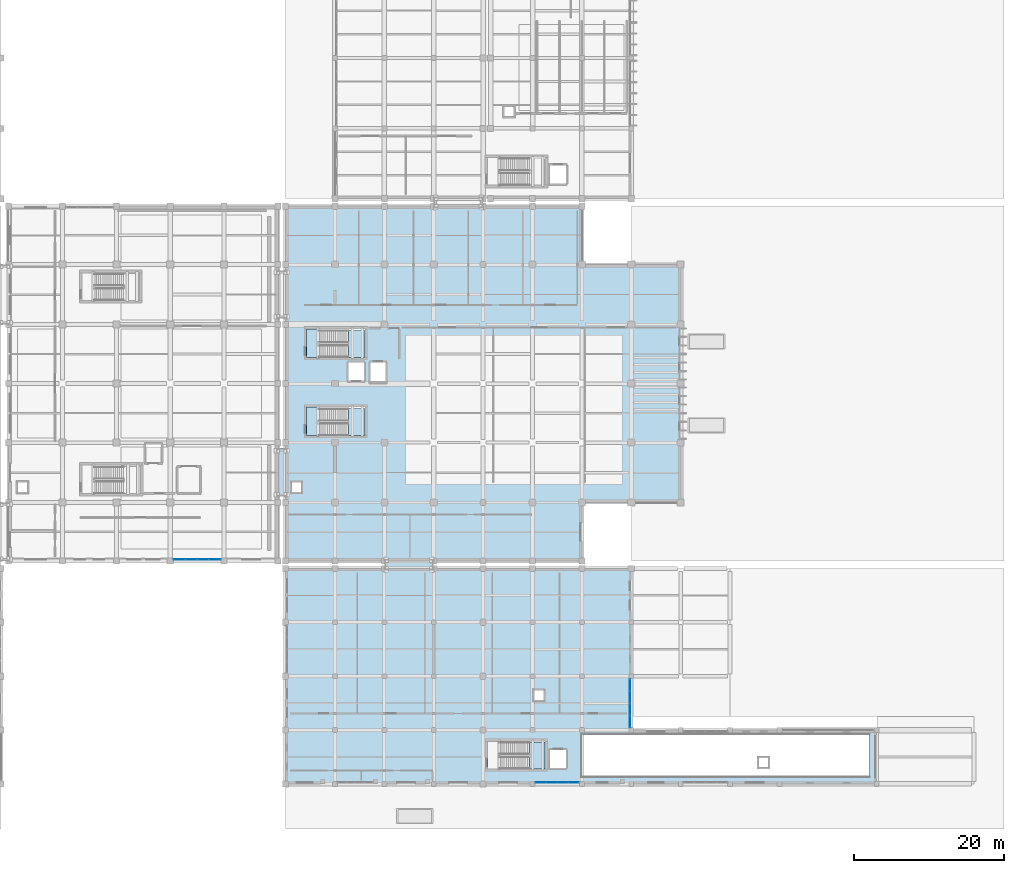
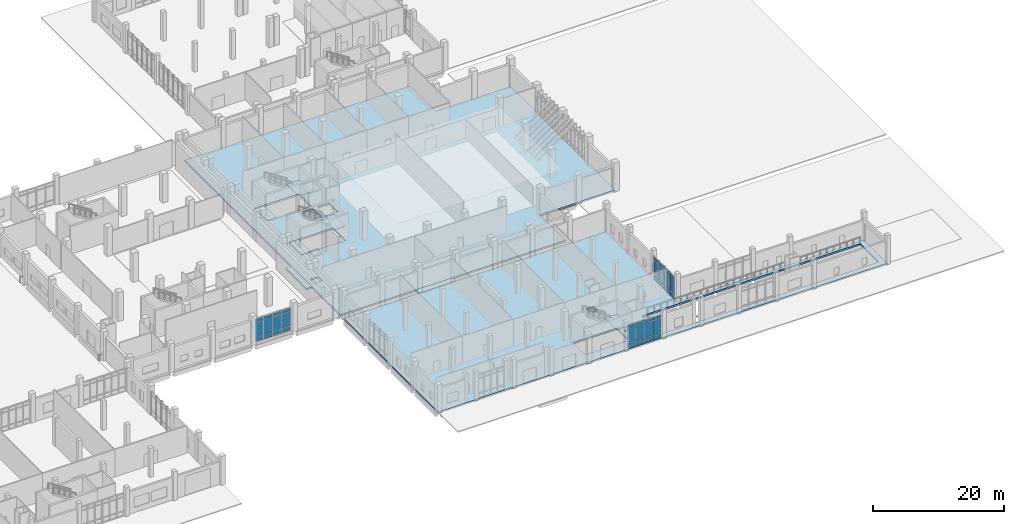
# One storey, part 42 of 79: 36 plates, 9 slabs, 8 elements without a shape of their own.
"""IFC4 building model written with IfcOpenShell, lengths in metres."""

from ifc_helpers import new_model, si_unit, direction, frame, origin, origin_2d, place, context, subcontext, project, spatial, polyline, rectangle, outline, extrude, material, layer, layer_set, type_object, element, aggregate, save


model = new_model("IFC4")

# Units and contexts
model_context = context("Model", 3, precision=1e-05, world=origin(), true_north=direction((0.0, 1.0)))
body_context = subcontext(model_context, "Body", "Model", "MODEL_VIEW")
ifc_project = project(units=[si_unit("LENGTHUNIT", "METRE"), si_unit("AREAUNIT", "SQUARE_METRE"), si_unit("VOLUMEUNIT", "CUBIC_METRE"), si_unit("PLANEANGLEUNIT", "RADIAN"), si_unit("MASSUNIT", "GRAM", prefix="KILO")], contexts=[model_context])

# Site, building, storey
site_placement = place(None, origin())
site = spatial("IfcSite", under=ifc_project, at=site_placement, CompositionType="ELEMENT")
building_placement = place(site_placement, origin())
building = spatial("IfcBuilding", under=site, at=building_placement, Name="Kelarvand Opera House", CompositionType="ELEMENT")
storey_placement = place(building_placement, origin())
storey = spatial("IfcBuildingStorey", under=building, at=storey_placement, Name="L00", CompositionType="ELEMENT", Elevation=0.0)

# Slabs
ifc_material_1 = material(Name="Concrete C35/45", Category="concrete")
ifc_layer_1 = layer(ifc_material_1, 0.219970703125, Name="Concrete C35/45", Category="concrete")
ifc_layer_set_1 = layer_set([ifc_layer_1], Name="Concrete C35/45")
slab_type_1 = type_object("IfcSlabType", Name="Core Stair Entry Landing Slab 220", PredefinedType="LANDING", material=ifc_layer_set_1)
slab_1_placement = place(storey_placement, frame((0.0, 0.0, -0.219970703125)))
element("IfcSlab", 1, at=slab_1_placement, inside=storey, type_object=slab_type_1, Name="C1 Stair Entry Landing L00", PredefinedType="LANDING", context=body_context, shape_type="SweptSolid", body=[
    extrude(outline(polyline([(91.800048828125, 66.0), (93.52001953125, 66.0), (93.52001953125, 69.800048828125), (91.800048828125, 69.800048828125), (91.800048828125, 66.0)])), origin(), (0.0, 0.0, 1.0), 0.219970703125),
])
slab_2_placement = place(storey_placement, frame((0.0, 0.0, -0.219970703125)))
element("IfcSlab", 2, at=slab_2_placement, inside=storey, type_object=slab_type_1, Name="C4 Stair Entry Landing L00", PredefinedType="LANDING", context=body_context, shape_type="SweptSolid", body=[
    extrude(outline(polyline([(91.800048828125, 55.550048828125), (93.52001953125, 55.550048828125), (93.52001953125, 59.35009765625), (91.800048828125, 59.35009765625), (91.800048828125, 55.550048828125)])), origin(), (0.0, 0.0, 1.0), 0.219970703125),
])
ifc_material_2 = material(Name="Concrete C40/50", Category="concrete")
ifc_layer_2 = layer(ifc_material_2, 0.320068359375, Name="Concrete C40/50", Category="concrete")
ifc_layer_set_2 = layer_set([ifc_layer_2], Name="Concrete C40/50")
slab_type_2 = type_object("IfcSlabType", Name="Long-Span Hall Floor Slab 320", PredefinedType="FLOOR", material=ifc_layer_set_2)
slab_3_placement = place(storey_placement, frame((0.0, 0.0, -0.320068359375)))
element("IfcSlab", 3, at=slab_3_placement, inside=storey, type_object=slab_type_2, Name="V1 L00 Structural Slab 3", PredefinedType="FLOOR", context=body_context, shape_type="SweptSolid", body=[
    extrude(outline(polyline([(128.60009765625, 38.800048828125), (89.0, 38.800048828125), (89.0, 46.60009765625), (89.0, 78.39990234375), (89.0, 86.199951171875), (128.60009765625, 86.199951171875), (128.60009765625, 78.39990234375), (141.800048828125, 78.39990234375), (141.800048828125, 46.60009765625), (128.60009765625, 46.60009765625), (128.60009765625, 38.800048828125)]), holes=[polyline([(89.800048828125, 49.300048828125), (91.10009765625, 49.300048828125), (91.10009765625, 48.0), (89.800048828125, 48.0), (89.800048828125, 49.300048828125)]), polyline([(91.800048828125, 59.35009765625), (99.60009765625, 59.35009765625), (99.60009765625, 55.550048828125), (91.800048828125, 55.550048828125), (91.800048828125, 59.35009765625)]), polyline([(100.300048828125, 65.35009765625), (102.39990234375, 65.35009765625), (102.39990234375, 62.699951171875), (100.300048828125, 62.699951171875), (100.300048828125, 65.35009765625)]), polyline([(99.5, 65.35009765625), (99.5, 62.89990234375), (97.39990234375, 62.89990234375), (97.39990234375, 65.35009765625), (99.5, 65.35009765625)]), polyline([(99.60009765625, 69.800048828125), (99.60009765625, 66.0), (91.800048828125, 66.0), (91.800048828125, 69.800048828125), (99.60009765625, 69.800048828125)])]), origin(), (0.0, 0.0, 1.0), 0.320068359375),
])

# Curtain wall, plates
ifc_material_3 = material(Name="Thermally broken aluminium and low-E glazing", Category="aluminium")
ifc_layer_3 = layer(ifc_material_3, 0.179931640625, Name="Thermally broken aluminium and low-E glazing", Category="aluminium")
ifc_layer_set_3 = layer_set([ifc_layer_3], Name="Thermally broken aluminium and low-E glazing")
curtain_wall_type_1 = type_object("IfcCurtainWallType", Name="Unitised Low-E Curtain Wall 3176x4350 Mod 1350 CWF-09", PredefinedType="USERDEFINED", material=ifc_layer_set_3)
curtain_wall_1_placement = place(storey_placement, origin())
curtain_wall_1 = element("IfcCurtainWall", 4, at=curtain_wall_1_placement, inside=storey, type_object=curtain_wall_type_1, Name="V2 L00 Curtain Wall CWF-09 (29)", ObjectType="UNITISED CURTAIN WALL", PredefinedType="USERDEFINED")
ifc_material_4 = material(Name="Low-E laminated double glazing", Category="glass")
ifc_layer_4 = layer(ifc_material_4, 0.031982421875, Name="Low-E laminated double glazing", Category="glass")
ifc_layer_set_4 = layer_set([ifc_layer_4], Name="Low-E laminated double glazing")
plate_type = type_object("IfcPlateType", Name="Low-E Argon Double Glazed Curtain Panel 32mm", PredefinedType="CURTAIN_PANEL", material=ifc_layer_set_4)
plate_1_placement = place(storey_placement, frame((79.56982421875, 38.97998046875, 0.06494140625), z_axis=(0.0, 0.0, 1.0), x_axis=(-1.0, 0.0, 0.0)))
plate_1 = element("IfcPlate", 5, at=plate_1_placement, type_object=plate_type, Name="CWF-09 panel 1.1", PredefinedType="CURTAIN_PANEL", context=body_context, shape_type="SweptSolid", body=[
    extrude(rectangle(XDim=1.490478515625, YDim=0.031982421875, at=origin_2d()), origin(), (0.0, 0.0, 1.0), 0.802490234375),
])
plate_2_placement = place(storey_placement, frame((79.56982421875, 38.97998046875, 0.932373046875), z_axis=(0.0, 0.0, 1.0), x_axis=(-1.0, 0.0, 0.0)))
plate_2 = element("IfcPlate", 6, at=plate_2_placement, type_object=plate_type, Name="CWF-09 panel 1.2", PredefinedType="CURTAIN_PANEL", context=body_context, shape_type="SweptSolid", body=[
    extrude(rectangle(XDim=1.490478515625, YDim=0.031982421875, at=origin_2d()), origin(), (0.0, 0.0, 1.0), 2.68505859375),
])
plate_3_placement = place(storey_placement, frame((79.56982421875, 38.97998046875, 3.682373046875), z_axis=(0.0, 0.0, 1.0), x_axis=(-1.0, 0.0, 0.0)))
plate_3 = element("IfcPlate", 7, at=plate_3_placement, type_object=plate_type, Name="CWF-09 panel 1.3", PredefinedType="CURTAIN_PANEL", context=body_context, shape_type="SweptSolid", body=[
    extrude(rectangle(XDim=1.490478515625, YDim=0.031982421875, at=origin_2d()), origin(), (0.0, 0.0, 1.0), 0.6025390625),
])
plate_4_placement = place(storey_placement, frame((78.01416015625, 38.97998046875, 0.06494140625), z_axis=(0.0, 0.0, 1.0), x_axis=(-1.0, 0.0, 0.0)))
plate_4 = element("IfcPlate", 8, at=plate_4_placement, type_object=plate_type, Name="CWF-09 panel 2.1", PredefinedType="CURTAIN_PANEL", context=body_context, shape_type="SweptSolid", body=[
    extrude(rectangle(XDim=1.490478515625, YDim=0.031982421875, at=origin_2d()), origin(), (0.0, 0.0, 1.0), 0.802490234375),
])
plate_5_placement = place(storey_placement, frame((78.01416015625, 38.97998046875, 0.932373046875), z_axis=(0.0, 0.0, 1.0), x_axis=(-1.0, 0.0, 0.0)))
plate_5 = element("IfcPlate", 9, at=plate_5_placement, type_object=plate_type, Name="CWF-09 panel 2.2", PredefinedType="CURTAIN_PANEL", context=body_context, shape_type="SweptSolid", body=[
    extrude(rectangle(XDim=1.490478515625, YDim=0.031982421875, at=origin_2d()), origin(), (0.0, 0.0, 1.0), 2.68505859375),
])
plate_6_placement = place(storey_placement, frame((78.01416015625, 38.97998046875, 3.682373046875), z_axis=(0.0, 0.0, 1.0), x_axis=(-1.0, 0.0, 0.0)))
plate_6 = element("IfcPlate", 10, at=plate_6_placement, type_object=plate_type, Name="CWF-09 panel 2.3", PredefinedType="CURTAIN_PANEL", context=body_context, shape_type="SweptSolid", body=[
    extrude(rectangle(XDim=1.490478515625, YDim=0.031982421875, at=origin_2d()), origin(), (0.0, 0.0, 1.0), 0.6025390625),
])
aggregate(curtain_wall_1, [plate_1, plate_2, plate_3, plate_4, plate_5, plate_6])

curtain_wall_2_placement = place(storey_placement, origin())
curtain_wall_2 = element("IfcCurtainWall", 11, at=curtain_wall_2_placement, inside=storey, type_object=curtain_wall_type_1, Name="V2 L00 Curtain Wall CWF-09 (30)", ObjectType="UNITISED CURTAIN WALL", PredefinedType="USERDEFINED")
plate_7_placement = place(storey_placement, frame((76.388671875, 38.97998046875, 0.06494140625), z_axis=(0.0, 0.0, 1.0), x_axis=(-1.0, 0.0, 0.0)))
plate_7 = element("IfcPlate", 12, at=plate_7_placement, type_object=plate_type, Name="CWF-09 panel 1.1", PredefinedType="CURTAIN_PANEL", context=body_context, shape_type="SweptSolid", body=[
    extrude(rectangle(XDim=1.492431640625, YDim=0.031982421875, at=origin_2d()), origin(), (0.0, 0.0, 1.0), 0.802490234375),
])
plate_8_placement = place(storey_placement, frame((76.388671875, 38.97998046875, 0.932373046875), z_axis=(0.0, 0.0, 1.0), x_axis=(-1.0, 0.0, 0.0)))
plate_8 = element("IfcPlate", 13, at=plate_8_placement, type_object=plate_type, Name="CWF-09 panel 1.2", PredefinedType="CURTAIN_PANEL", context=body_context, shape_type="SweptSolid", body=[
    extrude(rectangle(XDim=1.492431640625, YDim=0.031982421875, at=origin_2d()), origin(), (0.0, 0.0, 1.0), 2.68505859375),
])
plate_9_placement = place(storey_placement, frame((76.388671875, 38.97998046875, 3.682373046875), z_axis=(0.0, 0.0, 1.0), x_axis=(-1.0, 0.0, 0.0)))
plate_9 = element("IfcPlate", 14, at=plate_9_placement, type_object=plate_type, Name="CWF-09 panel 1.3", PredefinedType="CURTAIN_PANEL", context=body_context, shape_type="SweptSolid", body=[
    extrude(rectangle(XDim=1.492431640625, YDim=0.031982421875, at=origin_2d()), origin(), (0.0, 0.0, 1.0), 0.6025390625),
])
plate_10_placement = place(storey_placement, frame((74.831298828125, 38.97998046875, 0.06494140625), z_axis=(0.0, 0.0, 1.0), x_axis=(-1.0, 0.0, 0.0)))
plate_10 = element("IfcPlate", 15, at=plate_10_placement, type_object=plate_type, Name="CWF-09 panel 2.1", PredefinedType="CURTAIN_PANEL", context=body_context, shape_type="SweptSolid", body=[
    extrude(rectangle(XDim=1.492431640625, YDim=0.031982421875, at=origin_2d()), origin(), (0.0, 0.0, 1.0), 0.802490234375),
])
plate_11_placement = place(storey_placement, frame((74.831298828125, 38.97998046875, 0.932373046875), z_axis=(0.0, 0.0, 1.0), x_axis=(-1.0, 0.0, 0.0)))
plate_11 = element("IfcPlate", 16, at=plate_11_placement, type_object=plate_type, Name="CWF-09 panel 2.2", PredefinedType="CURTAIN_PANEL", context=body_context, shape_type="SweptSolid", body=[
    extrude(rectangle(XDim=1.492431640625, YDim=0.031982421875, at=origin_2d()), origin(), (0.0, 0.0, 1.0), 2.68505859375),
])
plate_12_placement = place(storey_placement, frame((74.831298828125, 38.97998046875, 3.682373046875), z_axis=(0.0, 0.0, 1.0), x_axis=(-1.0, 0.0, 0.0)))
plate_12 = element("IfcPlate", 17, at=plate_12_placement, type_object=plate_type, Name="CWF-09 panel 2.3", PredefinedType="CURTAIN_PANEL", context=body_context, shape_type="SweptSolid", body=[
    extrude(rectangle(XDim=1.492431640625, YDim=0.031982421875, at=origin_2d()), origin(), (0.0, 0.0, 1.0), 0.6025390625),
])
aggregate(curtain_wall_2, [plate_7, plate_8, plate_9, plate_10, plate_11, plate_12])

ifc_layer_5 = layer(ifc_material_3, 0.179931640625, Name="Thermally broken aluminium and low-E glazing", Category="aluminium")
ifc_layer_set_5 = layer_set([ifc_layer_5], Name="Thermally broken aluminium and low-E glazing")
curtain_wall_type_2 = type_object("IfcCurtainWallType", Name="Unitised Low-E Curtain Wall 5930x4350 Mod 1350 CWF-51", PredefinedType="USERDEFINED", material=ifc_layer_set_5)
curtain_wall_3_placement = place(storey_placement, origin())
curtain_wall_3 = element("IfcCurtainWall", 18, at=curtain_wall_3_placement, inside=storey, type_object=curtain_wall_type_2, Name="V6 L00 Curtain Wall CWF-51 (198)", ObjectType="UNITISED CURTAIN WALL", PredefinedType="USERDEFINED")
plate_13_placement = place(storey_placement, frame((127.507568359375, 9.179931640625, 0.06494140625), z_axis=(0.0, 0.0, 1.0), x_axis=(-1.0, 0.0, 0.0)))
plate_13 = element("IfcPlate", 19, at=plate_13_placement, type_object=plate_type, Name="CWF-51 panel 1.1", PredefinedType="CURTAIN_PANEL", context=body_context, shape_type="SweptSolid", body=[
    extrude(rectangle(XDim=1.385009765625, YDim=0.031982421875, at=origin_2d()), origin(), (0.0, 0.0, 1.0), 0.802490234375),
])
plate_14_placement = place(storey_placement, frame((127.507568359375, 9.179931640625, 0.932373046875), z_axis=(0.0, 0.0, 1.0), x_axis=(-1.0, 0.0, 0.0)))
plate_14 = element("IfcPlate", 20, at=plate_14_placement, type_object=plate_type, Name="CWF-51 panel 1.2", PredefinedType="CURTAIN_PANEL", context=body_context, shape_type="SweptSolid", body=[
    extrude(rectangle(XDim=1.385009765625, YDim=0.031982421875, at=origin_2d()), origin(), (0.0, 0.0, 1.0), 2.68505859375),
])
plate_15_placement = place(storey_placement, frame((127.507568359375, 9.179931640625, 3.682373046875), z_axis=(0.0, 0.0, 1.0), x_axis=(-1.0, 0.0, 0.0)))
plate_15 = element("IfcPlate", 21, at=plate_15_placement, type_object=plate_type, Name="CWF-51 panel 1.3", PredefinedType="CURTAIN_PANEL", context=body_context, shape_type="SweptSolid", body=[
    extrude(rectangle(XDim=1.385009765625, YDim=0.031982421875, at=origin_2d()), origin(), (0.0, 0.0, 1.0), 0.6025390625),
])
plate_16_placement = place(storey_placement, frame((126.041259765625, 9.179931640625, 0.06494140625), z_axis=(0.0, 0.0, 1.0), x_axis=(-1.0, 0.0, 0.0)))
plate_16 = element("IfcPlate", 22, at=plate_16_placement, type_object=plate_type, Name="CWF-51 panel 2.1", PredefinedType="CURTAIN_PANEL", context=body_context, shape_type="SweptSolid", body=[
    extrude(rectangle(XDim=1.41748046875, YDim=0.031982421875, at=origin_2d()), origin(), (0.0, 0.0, 1.0), 0.802490234375),
])
plate_17_placement = place(storey_placement, frame((126.041259765625, 9.179931640625, 0.932373046875), z_axis=(0.0, 0.0, 1.0), x_axis=(-1.0, 0.0, 0.0)))
plate_17 = element("IfcPlate", 23, at=plate_17_placement, type_object=plate_type, Name="CWF-51 panel 2.2", PredefinedType="CURTAIN_PANEL", context=body_context, shape_type="SweptSolid", body=[
    extrude(rectangle(XDim=1.41748046875, YDim=0.031982421875, at=origin_2d()), origin(), (0.0, 0.0, 1.0), 2.68505859375),
])
plate_18_placement = place(storey_placement, frame((126.041259765625, 9.179931640625, 3.682373046875), z_axis=(0.0, 0.0, 1.0), x_axis=(-1.0, 0.0, 0.0)))
plate_18 = element("IfcPlate", 24, at=plate_18_placement, type_object=plate_type, Name="CWF-51 panel 2.3", PredefinedType="CURTAIN_PANEL", context=body_context, shape_type="SweptSolid", body=[
    extrude(rectangle(XDim=1.41748046875, YDim=0.031982421875, at=origin_2d()), origin(), (0.0, 0.0, 1.0), 0.6025390625),
])
plate_19_placement = place(storey_placement, frame((124.558837890625, 9.179931640625, 0.06494140625), z_axis=(0.0, 0.0, 1.0), x_axis=(-1.0, 0.0, 0.0)))
plate_19 = element("IfcPlate", 25, at=plate_19_placement, type_object=plate_type, Name="CWF-51 panel 3.1", PredefinedType="CURTAIN_PANEL", context=body_context, shape_type="SweptSolid", body=[
    extrude(rectangle(XDim=1.41748046875, YDim=0.031982421875, at=origin_2d()), origin(), (0.0, 0.0, 1.0), 0.802490234375),
])
plate_20_placement = place(storey_placement, frame((124.558837890625, 9.179931640625, 0.932373046875), z_axis=(0.0, 0.0, 1.0), x_axis=(-1.0, 0.0, 0.0)))
plate_20 = element("IfcPlate", 26, at=plate_20_placement, type_object=plate_type, Name="CWF-51 panel 3.2", PredefinedType="CURTAIN_PANEL", context=body_context, shape_type="SweptSolid", body=[
    extrude(rectangle(XDim=1.41748046875, YDim=0.031982421875, at=origin_2d()), origin(), (0.0, 0.0, 1.0), 2.68505859375),
])
plate_21_placement = place(storey_placement, frame((124.558837890625, 9.179931640625, 3.682373046875), z_axis=(0.0, 0.0, 1.0), x_axis=(-1.0, 0.0, 0.0)))
plate_21 = element("IfcPlate", 27, at=plate_21_placement, type_object=plate_type, Name="CWF-51 panel 3.3", PredefinedType="CURTAIN_PANEL", context=body_context, shape_type="SweptSolid", body=[
    extrude(rectangle(XDim=1.41748046875, YDim=0.031982421875, at=origin_2d()), origin(), (0.0, 0.0, 1.0), 0.6025390625),
])
plate_22_placement = place(storey_placement, frame((123.092529296875, 9.179931640625, 0.06494140625), z_axis=(0.0, 0.0, 1.0), x_axis=(-1.0, 0.0, 0.0)))
plate_22 = element("IfcPlate", 28, at=plate_22_placement, type_object=plate_type, Name="CWF-51 panel 4.1", PredefinedType="CURTAIN_PANEL", context=body_context, shape_type="SweptSolid", body=[
    extrude(rectangle(XDim=1.385009765625, YDim=0.031982421875, at=origin_2d()), origin(), (0.0, 0.0, 1.0), 0.802490234375),
])
plate_23_placement = place(storey_placement, frame((123.092529296875, 9.179931640625, 0.932373046875), z_axis=(0.0, 0.0, 1.0), x_axis=(-1.0, 0.0, 0.0)))
plate_23 = element("IfcPlate", 29, at=plate_23_placement, type_object=plate_type, Name="CWF-51 panel 4.2", PredefinedType="CURTAIN_PANEL", context=body_context, shape_type="SweptSolid", body=[
    extrude(rectangle(XDim=1.385009765625, YDim=0.031982421875, at=origin_2d()), origin(), (0.0, 0.0, 1.0), 2.68505859375),
])
plate_24_placement = place(storey_placement, frame((123.092529296875, 9.179931640625, 3.682373046875), z_axis=(0.0, 0.0, 1.0), x_axis=(-1.0, 0.0, 0.0)))
plate_24 = element("IfcPlate", 30, at=plate_24_placement, type_object=plate_type, Name="CWF-51 panel 4.3", PredefinedType="CURTAIN_PANEL", context=body_context, shape_type="SweptSolid", body=[
    extrude(rectangle(XDim=1.385009765625, YDim=0.031982421875, at=origin_2d()), origin(), (0.0, 0.0, 1.0), 0.6025390625),
])
aggregate(curtain_wall_3, [plate_13, plate_14, plate_15, plate_16, plate_17, plate_18, plate_19, plate_20, plate_21, plate_22, plate_23, plate_24])

ifc_layer_6 = layer(ifc_material_3, 0.179931640625, Name="Thermally broken aluminium and low-E glazing", Category="aluminium")
ifc_layer_set_6 = layer_set([ifc_layer_6], Name="Thermally broken aluminium and low-E glazing")
curtain_wall_type_3 = type_object("IfcCurtainWallType", Name="Unitised Low-E Curtain Wall 3261x4350 Mod 1350 CWF-53", PredefinedType="USERDEFINED", material=ifc_layer_set_6)
curtain_wall_4_placement = place(storey_placement, origin())
curtain_wall_4 = element("IfcCurtainWall", 31, at=curtain_wall_4_placement, inside=storey, type_object=curtain_wall_type_3, Name="V6 L00 Curtain Wall CWF-53 (202)", ObjectType="UNITISED CURTAIN WALL", PredefinedType="USERDEFINED")
plate_25_placement = place(storey_placement, frame((135.02001953125, 22.2333984375, 0.06494140625), z_axis=(0.0, 0.0, 1.0), x_axis=(0.0, -1.0, 0.0)))
plate_25 = element("IfcPlate", 32, at=plate_25_placement, type_object=plate_type, Name="CWF-53 panel 1.1", PredefinedType="CURTAIN_PANEL", context=body_context, shape_type="SweptSolid", body=[
    extrude(rectangle(XDim=1.532958984375, YDim=0.031982421875, at=origin_2d()), origin(), (0.0, 0.0, 1.0), 0.802490234375),
])
plate_26_placement = place(storey_placement, frame((135.02001953125, 22.2333984375, 0.932373046875), z_axis=(0.0, 0.0, 1.0), x_axis=(0.0, -1.0, 0.0)))
plate_26 = element("IfcPlate", 33, at=plate_26_placement, type_object=plate_type, Name="CWF-53 panel 1.2", PredefinedType="CURTAIN_PANEL", context=body_context, shape_type="SweptSolid", body=[
    extrude(rectangle(XDim=1.532958984375, YDim=0.031982421875, at=origin_2d()), origin(), (0.0, 0.0, 1.0), 2.68505859375),
])
plate_27_placement = place(storey_placement, frame((135.02001953125, 22.2333984375, 3.682373046875), z_axis=(0.0, 0.0, 1.0), x_axis=(0.0, -1.0, 0.0)))
plate_27 = element("IfcPlate", 34, at=plate_27_placement, type_object=plate_type, Name="CWF-53 panel 1.3", PredefinedType="CURTAIN_PANEL", context=body_context, shape_type="SweptSolid", body=[
    extrude(rectangle(XDim=1.532958984375, YDim=0.031982421875, at=origin_2d()), origin(), (0.0, 0.0, 1.0), 0.6025390625),
])
plate_28_placement = place(storey_placement, frame((135.02001953125, 20.635498046875, 0.06494140625), z_axis=(0.0, 0.0, 1.0), x_axis=(0.0, -1.0, 0.0)))
plate_28 = element("IfcPlate", 35, at=plate_28_placement, type_object=plate_type, Name="CWF-53 panel 2.1", PredefinedType="CURTAIN_PANEL", context=body_context, shape_type="SweptSolid", body=[
    extrude(rectangle(XDim=1.532958984375, YDim=0.031982421875, at=origin_2d()), origin(), (0.0, 0.0, 1.0), 0.802490234375),
])
plate_29_placement = place(storey_placement, frame((135.02001953125, 20.635498046875, 0.932373046875), z_axis=(0.0, 0.0, 1.0), x_axis=(0.0, -1.0, 0.0)))
plate_29 = element("IfcPlate", 36, at=plate_29_placement, type_object=plate_type, Name="CWF-53 panel 2.2", PredefinedType="CURTAIN_PANEL", context=body_context, shape_type="SweptSolid", body=[
    extrude(rectangle(XDim=1.532958984375, YDim=0.031982421875, at=origin_2d()), origin(), (0.0, 0.0, 1.0), 2.68505859375),
])
plate_30_placement = place(storey_placement, frame((135.02001953125, 20.635498046875, 3.682373046875), z_axis=(0.0, 0.0, 1.0), x_axis=(0.0, -1.0, 0.0)))
plate_30 = element("IfcPlate", 37, at=plate_30_placement, type_object=plate_type, Name="CWF-53 panel 2.3", PredefinedType="CURTAIN_PANEL", context=body_context, shape_type="SweptSolid", body=[
    extrude(rectangle(XDim=1.532958984375, YDim=0.031982421875, at=origin_2d()), origin(), (0.0, 0.0, 1.0), 0.6025390625),
])
aggregate(curtain_wall_4, [plate_25, plate_26, plate_27, plate_28, plate_29, plate_30])

curtain_wall_5_placement = place(storey_placement, origin())
curtain_wall_5 = element("IfcCurtainWall", 38, at=curtain_wall_5_placement, inside=storey, type_object=curtain_wall_type_3, Name="V6 L00 Curtain Wall CWF-53 (203)", ObjectType="UNITISED CURTAIN WALL", PredefinedType="USERDEFINED")
plate_31_placement = place(storey_placement, frame((135.02001953125, 18.967529296875, 0.06494140625), z_axis=(0.0, 0.0, 1.0), x_axis=(0.0, -1.0, 0.0)))
plate_31 = element("IfcPlate", 39, at=plate_31_placement, type_object=plate_type, Name="CWF-53 panel 1.1", PredefinedType="CURTAIN_PANEL", context=body_context, shape_type="SweptSolid", body=[
    extrude(rectangle(XDim=1.534912109375, YDim=0.031982421875, at=origin_2d()), origin(), (0.0, 0.0, 1.0), 0.802490234375),
])
plate_32_placement = place(storey_placement, frame((135.02001953125, 18.967529296875, 0.932373046875), z_axis=(0.0, 0.0, 1.0), x_axis=(0.0, -1.0, 0.0)))
plate_32 = element("IfcPlate", 40, at=plate_32_placement, type_object=plate_type, Name="CWF-53 panel 1.2", PredefinedType="CURTAIN_PANEL", context=body_context, shape_type="SweptSolid", body=[
    extrude(rectangle(XDim=1.534912109375, YDim=0.031982421875, at=origin_2d()), origin(), (0.0, 0.0, 1.0), 2.68505859375),
])
plate_33_placement = place(storey_placement, frame((135.02001953125, 18.967529296875, 3.682373046875), z_axis=(0.0, 0.0, 1.0), x_axis=(0.0, -1.0, 0.0)))
plate_33 = element("IfcPlate", 41, at=plate_33_placement, type_object=plate_type, Name="CWF-53 panel 1.3", PredefinedType="CURTAIN_PANEL", context=body_context, shape_type="SweptSolid", body=[
    extrude(rectangle(XDim=1.534912109375, YDim=0.031982421875, at=origin_2d()), origin(), (0.0, 0.0, 1.0), 0.6025390625),
])
plate_34_placement = place(storey_placement, frame((135.02001953125, 17.367431640625, 0.06494140625), z_axis=(0.0, 0.0, 1.0), x_axis=(0.0, -1.0, 0.0)))
plate_34 = element("IfcPlate", 42, at=plate_34_placement, type_object=plate_type, Name="CWF-53 panel 2.1", PredefinedType="CURTAIN_PANEL", context=body_context, shape_type="SweptSolid", body=[
    extrude(rectangle(XDim=1.534912109375, YDim=0.031982421875, at=origin_2d()), origin(), (0.0, 0.0, 1.0), 0.802490234375),
])
plate_35_placement = place(storey_placement, frame((135.02001953125, 17.367431640625, 0.932373046875), z_axis=(0.0, 0.0, 1.0), x_axis=(0.0, -1.0, 0.0)))
plate_35 = element("IfcPlate", 43, at=plate_35_placement, type_object=plate_type, Name="CWF-53 panel 2.2", PredefinedType="CURTAIN_PANEL", context=body_context, shape_type="SweptSolid", body=[
    extrude(rectangle(XDim=1.534912109375, YDim=0.031982421875, at=origin_2d()), origin(), (0.0, 0.0, 1.0), 2.68505859375),
])
plate_36_placement = place(storey_placement, frame((135.02001953125, 17.367431640625, 3.682373046875), z_axis=(0.0, 0.0, 1.0), x_axis=(0.0, -1.0, 0.0)))
plate_36 = element("IfcPlate", 44, at=plate_36_placement, type_object=plate_type, Name="CWF-53 panel 2.3", PredefinedType="CURTAIN_PANEL", context=body_context, shape_type="SweptSolid", body=[
    extrude(rectangle(XDim=1.534912109375, YDim=0.031982421875, at=origin_2d()), origin(), (0.0, 0.0, 1.0), 0.6025390625),
])
aggregate(curtain_wall_5, [plate_31, plate_32, plate_33, plate_34, plate_35, plate_36])

# Stair, slab
stair_type = type_object("IfcStairType", Name="Dogleg Concrete Exit Stair 1660mm 30R STA-02", PredefinedType="HALF_TURN_STAIR", material=ifc_material_1)
stair_1_placement = place(storey_placement, origin())
stair_1 = element("IfcStair", 45, at=stair_1_placement, inside=storey, type_object=stair_type, Name="L00 Auditorium North Firefighting and Public Core C1 Stair ST-01", PredefinedType="HALF_TURN_STAIR")
ifc_layer_7 = layer(ifc_material_1, 0.199951171875, Name="Concrete C35/45", Category="concrete")
ifc_layer_set_7 = layer_set([ifc_layer_7], Name="Concrete C35/45")
slab_type_3 = type_object("IfcSlabType", Name="Precast Stair Half-Landing Slab 200", PredefinedType="LANDING", material=ifc_layer_set_7)
slab_4_placement = place(storey_placement, frame((0.0, 0.0, 2.5)))
slab_4 = element("IfcSlab", 46, at=slab_4_placement, type_object=slab_type_3, Name="ST-01 landing 1", PredefinedType="LANDING", context=body_context, shape_type="SweptSolid", body=[
    extrude(outline(polyline([(97.3798828125, 66.0), (99.60009765625, 66.0), (99.60009765625, 69.60009765625), (97.3798828125, 69.60009765625), (97.3798828125, 66.0)])), origin(), (0.0, 0.0, 1.0), 0.199951171875),
])
aggregate(stair_1, [slab_4])

stair_2_placement = place(storey_placement, origin())
stair_2 = element("IfcStair", 47, at=stair_2_placement, inside=storey, type_object=stair_type, Name="L00 Auditorium South Foyer Core C4 Stair ST-04", PredefinedType="HALF_TURN_STAIR")
slab_5_placement = place(storey_placement, frame((0.0, 0.0, 2.5)))
slab_5 = element("IfcSlab", 48, at=slab_5_placement, type_object=slab_type_3, Name="ST-04 landing 1", PredefinedType="LANDING", context=body_context, shape_type="SweptSolid", body=[
    extrude(outline(polyline([(97.3798828125, 55.550048828125), (99.60009765625, 55.550048828125), (99.60009765625, 59.14990234375), (97.3798828125, 59.14990234375), (97.3798828125, 55.550048828125)])), origin(), (0.0, 0.0, 1.0), 0.199951171875),
])
aggregate(stair_2, [slab_5])

stair_3_placement = place(storey_placement, origin())
stair_3 = element("IfcStair", 49, at=stair_3_placement, inside=storey, type_object=stair_type, Name="L00 South Dressing and Production Core C8 Stair ST-08", PredefinedType="HALF_TURN_STAIR")
slab_6_placement = place(storey_placement, frame((0.0, 0.0, 2.5)))
slab_6 = element("IfcSlab", 50, at=slab_6_placement, type_object=slab_type_3, Name="ST-08 landing 1", PredefinedType="LANDING", context=body_context, shape_type="SweptSolid", body=[
    extrude(outline(polyline([(121.580078125, 11.0), (123.699951171875, 11.0), (123.699951171875, 14.60009765625), (121.580078125, 14.60009765625), (121.580078125, 11.0)])), origin(), (0.0, 0.0, 1.0), 0.199951171875),
])
aggregate(stair_3, [slab_6])

# Slabs
ifc_layer_8 = layer(ifc_material_1, 0.260009765625, Name="Concrete C35/45", Category="concrete")
ifc_layer_set_8 = layer_set([ifc_layer_8], Name="Concrete C35/45")
slab_type_4 = type_object("IfcSlabType", Name="Seismic Bridge Deck Slab 260", PredefinedType="FLOOR", material=ifc_layer_set_8)
slab_7_placement = place(storey_placement, frame((0.0, 0.0, -0.260009765625)))
element("IfcSlab", 51, at=slab_7_placement, inside=storey, type_object=slab_type_4, Name="Seismic Joint Sliding Bridge BR-JP-S L00", PredefinedType="FLOOR", context=body_context, shape_type="SweptSolid", body=[
    extrude(outline(polyline([(88.0, 47.39990234375), (89.0, 47.39990234375), (89.0, 53.800048828125), (88.0, 53.800048828125), (88.0, 47.39990234375)])), origin(), (0.0, 0.0, 1.0), 0.260009765625),
])
slab_8_placement = place(storey_placement, frame((0.0, 0.0, -0.260009765625)))
element("IfcSlab", 52, at=slab_8_placement, inside=storey, type_object=slab_type_4, Name="Seismic Joint Sliding Bridge BR-JS-E L00", PredefinedType="FLOOR", context=body_context, shape_type="SweptSolid", body=[
    extrude(outline(polyline([(102.199951171875, 37.800048828125), (108.800048828125, 37.800048828125), (108.800048828125, 38.800048828125), (102.199951171875, 38.800048828125), (102.199951171875, 37.800048828125)])), origin(), (0.0, 0.0, 1.0), 0.260009765625),
])
ifc_layer_9 = layer(ifc_material_1, 0.300048828125, Name="Concrete C35/45", Category="concrete")
ifc_layer_set_9 = layer_set([ifc_layer_9], Name="Concrete C35/45")
slab_type_5 = type_object("IfcSlabType", Name="Suspended Floor Slab 300", PredefinedType="FLOOR", material=ifc_layer_set_9)
slab_9_placement = place(storey_placement, frame((0.0, 0.0, -0.300048828125)))
element("IfcSlab", 53, at=slab_9_placement, inside=storey, type_object=slab_type_5, Name="V6 L00 Structural Slab 40", PredefinedType="FLOOR", context=body_context, shape_type="SweptSolid", body=[
    extrude(outline(polyline([(168.0, 16.199951171875), (168.0, 9.0), (135.199951171875, 9.0), (89.0, 9.0), (89.0, 37.800048828125), (135.199951171875, 37.800048828125), (135.199951171875, 16.199951171875), (168.0, 16.199951171875)]), holes=[polyline([(124.300048828125, 13.550048828125), (126.5, 13.550048828125), (126.5, 11.10009765625), (124.300048828125, 11.10009765625), (124.300048828125, 13.550048828125)]), polyline([(128.60009765625, 15.60009765625), (167.0, 15.60009765625), (167.0, 10.0), (128.60009765625, 10.0), (128.60009765625, 15.60009765625)]), polyline([(123.699951171875, 14.699951171875), (123.699951171875, 11.0), (116.0, 11.0), (116.0, 14.699951171875), (123.699951171875, 14.699951171875)]), polyline([(123.5, 21.5), (123.5, 20.199951171875), (122.199951171875, 20.199951171875), (122.199951171875, 21.5), (123.5, 21.5)])]), origin(), (0.0, 0.0, 1.0), 0.300048828125),
])

save(model, "model.ifc")
